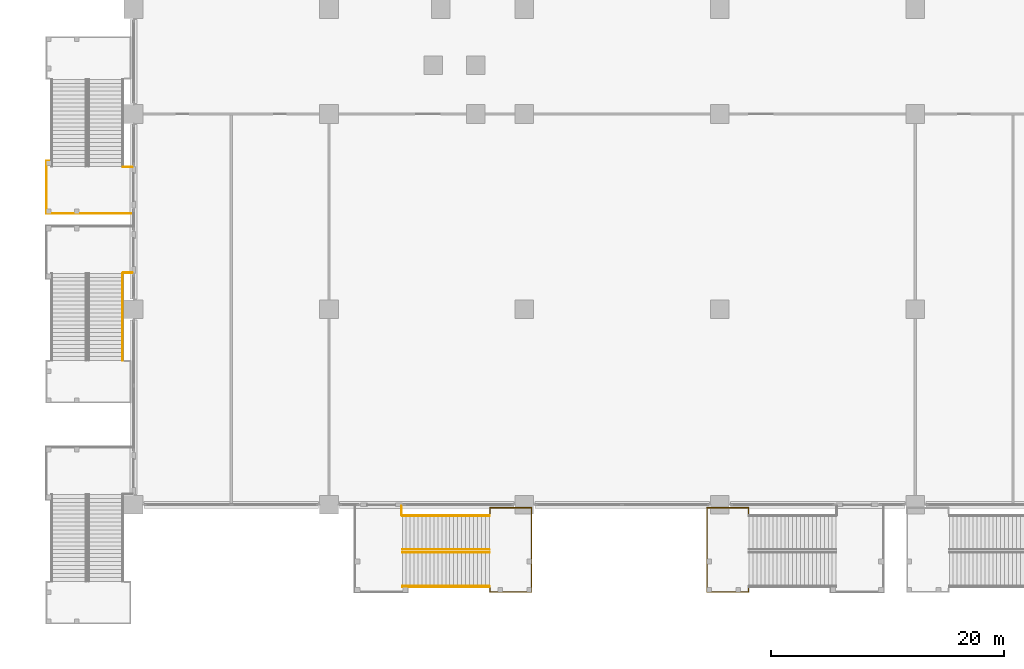
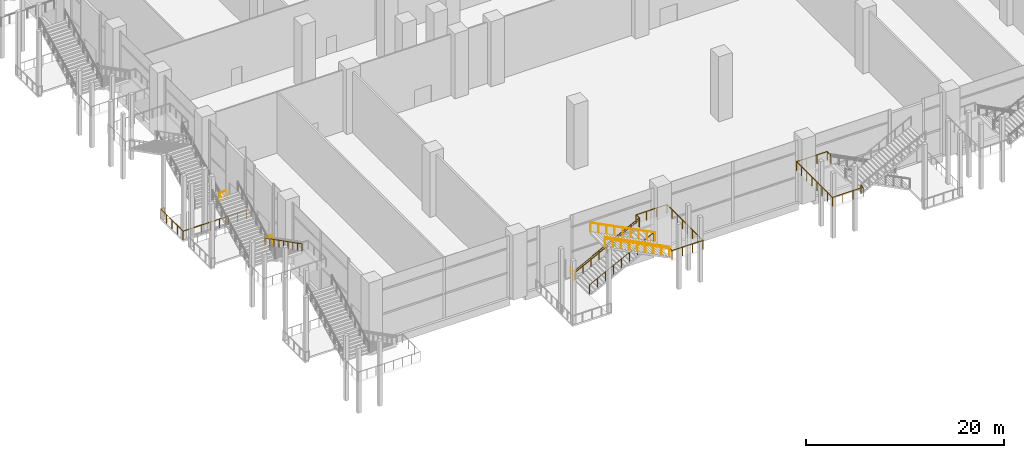
# One storey, part 39 of 52: 13 railings.
"""IFC4 building model written with IfcOpenShell, lengths in metres."""

import ifcopenshell
import ifcopenshell.guid

model = None  # the IFC model being written
_history = None  # IfcOwnerHistory: only IFC2X3 demands one
_inside = {}  # id of a spatial element -> (the spatial element, [elements in it])
_under = {}  # id of a project, library or spatial element -> (it, [spatial elements below it])
_declared = {}  # id of a project -> (the project, [libraries it declares])
_typed = {}  # id of a type object -> (the type object, [elements of that type])
_made_of = {}  # id of a material, layer set ... -> (it, [elements and type objects made of it])


def new_model(schema):
    """Start an empty IFC model of exactly this schema.

    Asked for "IFC4X3", IfcOpenShell would pick the latest addendum, in which some entities
    have other attributes; the version numbers below select the first issue.
    IFC2X3 requires an IfcOwnerHistory on every rooted entity: one is made here for all.
    """
    global model, _history
    if schema == "IFC4X3":
        model = ifcopenshell.file(schema_version=(4, 3, 0, 0))
    else:
        model = ifcopenshell.file(schema=schema)
    _inside.clear()
    _under.clear()
    _declared.clear()
    _typed.clear()
    _made_of.clear()
    _history = None
    if model.schema == "IFC2X3":
        org = make("IfcOrganization", Name="unknown")
        user = make(
            "IfcPersonAndOrganization",
            ThePerson=make("IfcPerson", FamilyName="unknown"),
            TheOrganization=org,
        )
        app = make(
            "IfcApplication",
            ApplicationDeveloper=org,
            Version="unknown",
            ApplicationFullName="unknown",
            ApplicationIdentifier="unknown",
        )
        _history = make(
            "IfcOwnerHistory",
            OwningUser=user,
            OwningApplication=app,
            ChangeAction="ADDED",
            CreationDate=0,
        )
    return model


def make(cls, **values):
    """One entity of the class cls with the attributes given. An attribute that is None is left unset."""
    return model.create_entity(
        cls, **{name: value for name, value in values.items() if value is not None}
    )


def rooted(cls, **values):
    """An entity with a GlobalId (a new one), such as an element, a storey or a relation."""
    return make(cls, GlobalId=ifcopenshell.guid.new(), OwnerHistory=_history, **values)


def si_unit(unit_type, name, prefix=None):
    """IfcSIUnit, for example si_unit("LENGTHUNIT", "METRE", prefix="MILLI")."""
    return make("IfcSIUnit", UnitType=unit_type, Prefix=prefix, Name=name)


def assignment(units):
    """IfcUnitAssignment: the units of a project."""
    return None if units is None else make("IfcUnitAssignment", Units=units)


def point(xyz):
    """IfcCartesianPoint."""
    return None if xyz is None else make("IfcCartesianPoint", Coordinates=xyz)


def direction(xyz):
    """IfcDirection."""
    return None if xyz is None else make("IfcDirection", DirectionRatios=xyz)


def frame(location, z_axis=None, x_axis=None):
    """IfcAxis2Placement3D, a coordinate frame: its origin and axes. An axis left out is left unset."""
    return make(
        "IfcAxis2Placement3D",
        Location=point(location),
        Axis=direction(z_axis),
        RefDirection=direction(x_axis),
    )


def frame_2d(location, x_axis=None):
    """IfcAxis2Placement2D, a coordinate frame in the plane: its origin and x axis."""
    return make(
        "IfcAxis2Placement2D", Location=point(location), RefDirection=direction(x_axis)
    )


def origin():
    """The frame at (0, 0, 0) with its axes left unset."""
    return frame((0.0, 0.0, 0.0))


def origin_2d():
    """The frame at (0, 0) in the plane with its x axis left unset."""
    return frame_2d((0.0, 0.0))


def place(relative_to, where):
    """IfcLocalPlacement: puts the frame where relative to a parent placement (None: the world)."""
    return make(
        "IfcLocalPlacement", PlacementRelTo=relative_to, RelativePlacement=where
    )


def context(
    kind, dimensions, precision=None, world=None, true_north=None, identifier=None
):
    """IfcGeometricRepresentationContext, for example the 3D "Model" context."""
    return make(
        "IfcGeometricRepresentationContext",
        ContextIdentifier=identifier,
        ContextType=kind,
        CoordinateSpaceDimension=dimensions,
        Precision=precision,
        WorldCoordinateSystem=world,
        TrueNorth=true_north,
    )


def subcontext(parent, identifier, kind, view, scale=None):
    """IfcGeometricRepresentationSubContext, for example "Body" below "Model"."""
    return make(
        "IfcGeometricRepresentationSubContext",
        ContextIdentifier=identifier,
        ContextType=kind,
        ParentContext=parent,
        TargetScale=scale,
        TargetView=view,
    )


def project(units=None, contexts=None):
    """IfcProject with its units and contexts."""
    return rooted(
        "IfcProject",
        Name="project",
        RepresentationContexts=contexts,
        UnitsInContext=assignment(units),
    )


def spatial(cls, under=None, at=None, **own):
    """A site, building, storey or space (cls), placed at a placement, below another one or the project."""
    s = rooted(cls, ObjectPlacement=at, **own)
    if under is not None:
        _under.setdefault(under.id(), (under, []))[1].append(s)
    return s


def profile(cls, at=None, kind="AREA", **sizes):
    """A parametric profile (cls). Its sizes go by their IFC names, for example OverallWidth=200.0."""
    return make(cls, ProfileType=kind, Position=at, **sizes)


def circle(**sizes):
    """IfcCircleProfileDef."""
    return profile("IfcCircleProfileDef", **sizes)


def extrude(swept, where, along, depth):
    """IfcExtrudedAreaSolid: the profile swept, set in the frame where, extruded along a direction by depth."""
    return make(
        "IfcExtrudedAreaSolid",
        SweptArea=swept,
        Position=where,
        ExtrudedDirection=direction(along),
        Depth=depth,
    )


def shape(context_of_items, identifier, shape_type, items):
    """IfcShapeRepresentation: the items that make up one representation, for example the "Body"."""
    return make(
        "IfcShapeRepresentation",
        ContextOfItems=context_of_items,
        RepresentationIdentifier=identifier,
        RepresentationType=shape_type,
        Items=items,
    )


def material(Name=None, Category=None):
    """IfcMaterial."""
    return make("IfcMaterial", Name=Name, Category=Category)


def made_of(thing, what):
    """Note that an element or type object is made of a material, layer set ...; save() writes the relation."""
    if what is not None:
        _made_of.setdefault(what.id(), (what, []))[1].append(thing)
    return thing


def type_object(cls, material=None, **own):
    """A type object (cls), such as IfcWallType, which elements share."""
    return made_of(rooted(cls, **own), material)


def element(
    cls,
    number,
    at=None,
    inside=None,
    cuts=None,
    type_object=None,
    material=None,
    context=None,
    identifier="Body",
    shape_type=None,
    held_by="IfcProductDefinitionShape",
    body=None,
    shapes=None,
    **own,
):
    """One element of the class cls, such as IfcWall. Its Tag is "e" and its number.

    at: its placement. inside: the storey or other place that contains it. cuts: it is an
    opening in that element (IfcRelVoidsElement). A single representation is given by context,
    identifier, shape_type and body (its items); several are given by shapes. held_by: the class
    of the entity that holds the representations. save() writes the other relations.
    """
    e = rooted(cls, Tag="e%d" % number, ObjectPlacement=at, **own)
    if body is not None:
        shapes = [shape(context, identifier, shape_type, body)]
    if shapes is not None:
        e.Representation = make(held_by, Representations=shapes)
    if inside is not None:
        _inside.setdefault(inside.id(), (inside, []))[1].append(e)
    if cuts is not None:
        rooted(
            "IfcRelVoidsElement", RelatingBuildingElement=cuts, RelatedOpeningElement=e
        )
    if type_object is not None:
        _typed.setdefault(type_object.id(), (type_object, []))[1].append(e)
    return made_of(e, material)


def aggregate(whole, parts):
    """IfcRelAggregates: a whole, such as a stair, and the parts it consists of."""
    return rooted("IfcRelAggregates", RelatingObject=whole, RelatedObjects=parts)


def save(model, path):
    """Write the relations noted so far, then the file.

    IfcRelAggregates (storeys below a building ...), IfcRelContainedInSpatialStructure (elements
    in a storey), IfcRelDefinesByType, IfcRelAssociatesMaterial and IfcRelDeclares: one each for
    every whole, place, type object, material and project.
    """
    for whole, parts in _under.values():
        aggregate(whole, parts)
    for where, things in _inside.values():
        rooted(
            "IfcRelContainedInSpatialStructure",
            RelatedElements=things,
            RelatingStructure=where,
        )
    for kind, things in _typed.values():
        rooted("IfcRelDefinesByType", RelatedObjects=things, RelatingType=kind)
    for what, things in _made_of.values():
        rooted("IfcRelAssociatesMaterial", RelatedObjects=things, RelatingMaterial=what)
    for by, libraries in _declared.values():
        rooted("IfcRelDeclares", RelatingContext=by, RelatedDefinitions=libraries)
    model.write(path)


model = new_model("IFC4")

# Units and contexts
model_context = context("Model", 3, precision=1e-05, world=origin(), true_north=direction((0.0, 1.0)))
body_context = subcontext(model_context, "Body", "Model", "MODEL_VIEW")
ifc_project = project(units=[si_unit("LENGTHUNIT", "METRE"), si_unit("AREAUNIT", "SQUARE_METRE"), si_unit("VOLUMEUNIT", "CUBIC_METRE"), si_unit("PLANEANGLEUNIT", "RADIAN"), si_unit("MASSUNIT", "GRAM", prefix="KILO")], contexts=[model_context])

# Site, building, storey
site_placement = place(None, origin())
site = spatial("IfcSite", under=ifc_project, at=site_placement, CompositionType="ELEMENT")
building_placement = place(site_placement, origin())
building = spatial("IfcBuilding", under=site, at=building_placement, Name="Candeia Pilgrim Tower and Theatre", CompositionType="ELEMENT")
storey_placement = place(building_placement, frame((0.0, 0.0, 9.0)))
storey = spatial("IfcBuildingStorey", under=building, at=storey_placement, Name="L01", CompositionType="ELEMENT", Elevation=9.0)

# Railings
ifc_material_1 = material(Name="Stainless steel balustrade", Category="steel")
railing_type_1 = type_object("IfcRailingType", Name="RL-GUARD-1100", PredefinedType="GUARDRAIL", material=ifc_material_1)
railing_1_placement = place(storey_placement, frame((81.89990234375, 60.550048828125, 0.173828125)))
element("IfcRailing", 1, at=railing_1_placement, inside=storey, type_object=railing_type_1, Name="L01 ES8 stair guard 1", PredefinedType="GUARDRAIL", context=body_context, shape_type="SweptSolid", body=[
    extrude(circle(Radius=0.02392578125, at=origin_2d()), frame((0.0, 0.0, 1.076171875), z_axis=(0.890286522184, 0.0, 0.455400821714), x_axis=(0.0, 1.0, 0.0)), (0.0, 0.0, 1.0), 8.40185546875),
    extrude(circle(Radius=0.02099609375, at=origin_2d()), origin(), (0.0, 0.0, 1.0), 1.052001953125),
    extrude(circle(Radius=0.02099609375, at=origin_2d()), frame((0.93505859375, 0.0, 0.478271484375)), (0.0, 0.0, 1.0), 1.052001953125),
    extrude(circle(Radius=0.02099609375, at=origin_2d()), frame((1.8701171875, 0.0, 0.95654296875)), (0.0, 0.0, 1.0), 1.052001953125),
    extrude(circle(Radius=0.02099609375, at=origin_2d()), frame((2.804931640625, 0.0, 1.434814453125)), (0.0, 0.0, 1.0), 1.052001953125),
    extrude(circle(Radius=0.02099609375, at=origin_2d()), frame((3.739990234375, 0.0, 1.9130859375)), (0.0, 0.0, 1.0), 1.052001953125),
    extrude(circle(Radius=0.02099609375, at=origin_2d()), frame((4.675048828125, 0.0, 2.391357421875)), (0.0, 0.0, 1.0), 1.052001953125),
    extrude(circle(Radius=0.02099609375, at=origin_2d()), frame((5.60986328125, 0.0, 2.86962890625)), (0.0, 0.0, 1.0), 1.052001953125),
    extrude(circle(Radius=0.02099609375, at=origin_2d()), frame((6.544921875, 0.0, 3.347900390625)), (0.0, 0.0, 1.0), 1.052001953125),
    extrude(circle(Radius=0.02099609375, at=origin_2d()), frame((7.47998046875, 0.0, 3.826171875)), (0.0, 0.0, 1.0), 1.052001953125),
])
railing_2_placement = place(storey_placement, frame((89.3798828125, 60.300048828125, 4.173828125)))
element("IfcRailing", 2, at=railing_2_placement, inside=storey, type_object=railing_type_1, Name="L01 ES8 stair guard 2", PredefinedType="GUARDRAIL", context=body_context, shape_type="SweptSolid", body=[
    extrude(circle(Radius=0.02392578125, at=origin_2d()), frame((0.0, 0.0, 1.076171875), z_axis=(-0.890286522184, 0.0, 0.455400821714), x_axis=(0.0, -1.0, 0.0)), (0.0, 0.0, 1.0), 8.40185546875),
    extrude(circle(Radius=0.02099609375, at=origin_2d()), origin(), (0.0, 0.0, 1.0), 1.052001953125),
    extrude(circle(Radius=0.02099609375, at=origin_2d()), frame((-0.93505859375, 0.0, 0.478271484375)), (0.0, 0.0, 1.0), 1.052001953125),
    extrude(circle(Radius=0.02099609375, at=origin_2d()), frame((-1.8701171875, 0.0, 0.95654296875)), (0.0, 0.0, 1.0), 1.052001953125),
    extrude(circle(Radius=0.02099609375, at=origin_2d()), frame((-2.804931640625, 0.0, 1.434814453125)), (0.0, 0.0, 1.0), 1.052001953125),
    extrude(circle(Radius=0.02099609375, at=origin_2d()), frame((-3.739990234375, 0.0, 1.9130859375)), (0.0, 0.0, 1.0), 1.052001953125),
    extrude(circle(Radius=0.02099609375, at=origin_2d()), frame((-4.675048828125, 0.0, 2.391357421875)), (0.0, 0.0, 1.0), 1.052001953125),
    extrude(circle(Radius=0.02099609375, at=origin_2d()), frame((-5.60986328125, 0.0, 2.86962890625)), (0.0, 0.0, 1.0), 1.052001953125),
    extrude(circle(Radius=0.02099609375, at=origin_2d()), frame((-6.544921875, 0.0, 3.347900390625)), (0.0, 0.0, 1.0), 1.052001953125),
    extrude(circle(Radius=0.02099609375, at=origin_2d()), frame((-7.47998046875, 0.0, 3.826171875)), (0.0, 0.0, 1.0), 1.052001953125),
])
railing_3_placement = place(storey_placement, frame((81.89990234375, 63.5, 0.173828125)))
element("IfcRailing", 3, at=railing_3_placement, inside=storey, type_object=railing_type_1, Name="L01 ES8 stair guard 3", PredefinedType="GUARDRAIL", context=body_context, shape_type="SweptSolid", body=[
    extrude(circle(Radius=0.02392578125, at=origin_2d()), frame((0.0, 0.0, 1.076171875), z_axis=(0.890286522184, 0.0, 0.455400821714), x_axis=(0.0, 1.0, 0.0)), (0.0, 0.0, 1.0), 8.40185546875),
    extrude(circle(Radius=0.02099609375, at=origin_2d()), origin(), (0.0, 0.0, 1.0), 1.052001953125),
    extrude(circle(Radius=0.02099609375, at=origin_2d()), frame((0.93505859375, 0.0, 0.478271484375)), (0.0, 0.0, 1.0), 1.052001953125),
    extrude(circle(Radius=0.02099609375, at=origin_2d()), frame((1.8701171875, 0.0, 0.95654296875)), (0.0, 0.0, 1.0), 1.052001953125),
    extrude(circle(Radius=0.02099609375, at=origin_2d()), frame((2.804931640625, 0.0, 1.434814453125)), (0.0, 0.0, 1.0), 1.052001953125),
    extrude(circle(Radius=0.02099609375, at=origin_2d()), frame((3.739990234375, 0.0, 1.9130859375)), (0.0, 0.0, 1.0), 1.052001953125),
    extrude(circle(Radius=0.02099609375, at=origin_2d()), frame((4.675048828125, 0.0, 2.391357421875)), (0.0, 0.0, 1.0), 1.052001953125),
    extrude(circle(Radius=0.02099609375, at=origin_2d()), frame((5.60986328125, 0.0, 2.86962890625)), (0.0, 0.0, 1.0), 1.052001953125),
    extrude(circle(Radius=0.02099609375, at=origin_2d()), frame((6.544921875, 0.0, 3.347900390625)), (0.0, 0.0, 1.0), 1.052001953125),
    extrude(circle(Radius=0.02099609375, at=origin_2d()), frame((7.47998046875, 0.0, 3.826171875)), (0.0, 0.0, 1.0), 1.052001953125),
])
railing_4_placement = place(storey_placement, frame((89.3798828125, 57.35009765625, 4.173828125)))
element("IfcRailing", 4, at=railing_4_placement, inside=storey, type_object=railing_type_1, Name="L01 ES8 stair guard 4", PredefinedType="GUARDRAIL", context=body_context, shape_type="SweptSolid", body=[
    extrude(circle(Radius=0.02392578125, at=origin_2d()), frame((0.0, 0.0, 1.076171875), z_axis=(-0.890286522184, 0.0, 0.455400821714), x_axis=(0.0, -1.0, 0.0)), (0.0, 0.0, 1.0), 8.40185546875),
    extrude(circle(Radius=0.02099609375, at=origin_2d()), origin(), (0.0, 0.0, 1.0), 1.052001953125),
    extrude(circle(Radius=0.02099609375, at=origin_2d()), frame((-0.93505859375, 0.0, 0.478271484375)), (0.0, 0.0, 1.0), 1.052001953125),
    extrude(circle(Radius=0.02099609375, at=origin_2d()), frame((-1.8701171875, 0.0, 0.95654296875)), (0.0, 0.0, 1.0), 1.052001953125),
    extrude(circle(Radius=0.02099609375, at=origin_2d()), frame((-2.804931640625, 0.0, 1.434814453125)), (0.0, 0.0, 1.0), 1.052001953125),
    extrude(circle(Radius=0.02099609375, at=origin_2d()), frame((-3.739990234375, 0.0, 1.9130859375)), (0.0, 0.0, 1.0), 1.052001953125),
    extrude(circle(Radius=0.02099609375, at=origin_2d()), frame((-4.675048828125, 0.0, 2.391357421875)), (0.0, 0.0, 1.0), 1.052001953125),
    extrude(circle(Radius=0.02099609375, at=origin_2d()), frame((-5.60986328125, 0.0, 2.86962890625)), (0.0, 0.0, 1.0), 1.052001953125),
    extrude(circle(Radius=0.02099609375, at=origin_2d()), frame((-6.544921875, 0.0, 3.347900390625)), (0.0, 0.0, 1.0), 1.052001953125),
    extrude(circle(Radius=0.02099609375, at=origin_2d()), frame((-7.47998046875, 0.0, 3.826171875)), (0.0, 0.0, 1.0), 1.052001953125),
])
railing_5_placement = place(storey_placement, frame((89.429931640625, 63.5, 4.0)))
element("IfcRailing", 5, at=railing_5_placement, inside=storey, type_object=railing_type_1, Name="L01 ES8 stair guard 5", PredefinedType="GUARDRAIL", context=body_context, shape_type="SweptSolid", body=[
    extrude(circle(Radius=0.02392578125, at=origin_2d()), frame((0.0, 0.0, 1.076171875), z_axis=(0.0, 1.0, 0.0), x_axis=(-1.0, 0.0, 0.0)), (0.0, 0.0, 1.0), 0.64990234375),
    extrude(circle(Radius=0.02392578125, at=origin_2d()), frame((0.0, 0.64990234375, 1.076171875), z_axis=(1.0, 0.0, 0.0), x_axis=(0.0, 1.0, 0.0)), (0.0, 0.0, 1.0), 3.580078125),
    extrude(circle(Radius=0.02392578125, at=origin_2d()), frame((3.580078125, 0.64990234375, 1.076171875), z_axis=(0.0, -1.0, 0.0), x_axis=(1.0, 0.0, 0.0)), (0.0, 0.0, 1.0), 7.25),
    extrude(circle(Radius=0.02392578125, at=origin_2d()), frame((3.580078125, -6.60009765625, 1.076171875), z_axis=(-1.0, 0.0, 0.0), x_axis=(0.0, -1.0, 0.0)), (0.0, 0.0, 1.0), 3.580078125),
    extrude(circle(Radius=0.02392578125, at=origin_2d()), frame((0.0, -6.60009765625, 1.076171875), z_axis=(0.0, 1.0, 0.0), x_axis=(-1.0, 0.0, 0.0)), (0.0, 0.0, 1.0), 0.4501953125),
    extrude(circle(Radius=0.02099609375, at=origin_2d()), origin(), (0.0, 0.0, 1.0), 1.052001953125),
    extrude(circle(Radius=0.02099609375, at=origin_2d()), frame((0.0, 0.64990234375, 0.0)), (0.0, 0.0, 1.0), 1.052001953125),
    extrude(circle(Radius=0.02099609375, at=origin_2d()), frame((1.193359375, 0.64990234375, 0.0)), (0.0, 0.0, 1.0), 1.052001953125),
    extrude(circle(Radius=0.02099609375, at=origin_2d()), frame((2.38671875, 0.64990234375, 0.0)), (0.0, 0.0, 1.0), 1.052001953125),
    extrude(circle(Radius=0.02099609375, at=origin_2d()), frame((3.580078125, 0.64990234375, 0.0)), (0.0, 0.0, 1.0), 1.052001953125),
    extrude(circle(Radius=0.02099609375, at=origin_2d()), frame((3.580078125, -0.3857421875, 0.0)), (0.0, 0.0, 1.0), 1.052001953125),
    extrude(circle(Radius=0.02099609375, at=origin_2d()), frame((3.580078125, -1.421630859375, 0.0)), (0.0, 0.0, 1.0), 1.052001953125),
    extrude(circle(Radius=0.02099609375, at=origin_2d()), frame((3.580078125, -2.457275390625, 0.0)), (0.0, 0.0, 1.0), 1.052001953125),
    extrude(circle(Radius=0.02099609375, at=origin_2d()), frame((3.580078125, -3.492919921875, 0.0)), (0.0, 0.0, 1.0), 1.052001953125),
    extrude(circle(Radius=0.02099609375, at=origin_2d()), frame((3.580078125, -4.528564453125, 0.0)), (0.0, 0.0, 1.0), 1.052001953125),
    extrude(circle(Radius=0.02099609375, at=origin_2d()), frame((3.580078125, -5.564453125, 0.0)), (0.0, 0.0, 1.0), 1.052001953125),
    extrude(circle(Radius=0.02099609375, at=origin_2d()), frame((3.580078125, -6.60009765625, 0.0)), (0.0, 0.0, 1.0), 1.052001953125),
    extrude(circle(Radius=0.02099609375, at=origin_2d()), frame((2.38671875, -6.60009765625, 0.0)), (0.0, 0.0, 1.0), 1.052001953125),
    extrude(circle(Radius=0.02099609375, at=origin_2d()), frame((1.193359375, -6.60009765625, 0.0)), (0.0, 0.0, 1.0), 1.052001953125),
    extrude(circle(Radius=0.02099609375, at=origin_2d()), frame((0.0, -6.60009765625, 0.0)), (0.0, 0.0, 1.0), 1.052001953125),
    extrude(circle(Radius=0.02099609375, at=origin_2d()), frame((0.0, -6.14990234375, 0.0)), (0.0, 0.0, 1.0), 1.052001953125),
])
railing_6_placement = place(storey_placement, frame((81.85009765625, 64.300048828125, 0.0)))
element("IfcRailing", 6, at=railing_6_placement, inside=storey, type_object=railing_type_1, Name="L01 External escape stair ES8 bridge guard", PredefinedType="GUARDRAIL", context=body_context, shape_type="SweptSolid", body=[
    extrude(circle(Radius=0.02392578125, at=origin_2d()), frame((0.0, 0.0, 1.076171875), z_axis=(0.0, -1.0, 0.0), x_axis=(1.0, 0.0, 0.0)), (0.0, 0.0, 1.0), 0.800048828125),
    extrude(circle(Radius=0.02099609375, at=origin_2d()), origin(), (0.0, 0.0, 1.0), 1.052001953125),
    extrude(circle(Radius=0.02099609375, at=origin_2d()), frame((0.0, -0.800048828125, 0.0)), (0.0, 0.0, 1.0), 1.052001953125),
])
railing_7_placement = place(storey_placement, frame((111.669921875, 63.5, 4.0)))
element("IfcRailing", 7, at=railing_7_placement, inside=storey, type_object=railing_type_1, Name="L01 ES9 stair guard 5", PredefinedType="GUARDRAIL", context=body_context, shape_type="SweptSolid", body=[
    extrude(circle(Radius=0.02392578125, at=origin_2d()), frame((0.0, 0.0, 1.076171875), z_axis=(0.0, 1.0, 0.0), x_axis=(-1.0, 0.0, 0.0)), (0.0, 0.0, 1.0), 0.64990234375),
    extrude(circle(Radius=0.02392578125, at=origin_2d()), frame((0.0, 0.64990234375, 1.076171875), z_axis=(-1.0, 0.0, 0.0), x_axis=(0.0, -1.0, 0.0)), (0.0, 0.0, 1.0), 3.579833984375),
    extrude(circle(Radius=0.02392578125, at=origin_2d()), frame((-3.579833984375, 0.64990234375, 1.076171875), z_axis=(0.0, -1.0, 0.0), x_axis=(1.0, 0.0, 0.0)), (0.0, 0.0, 1.0), 7.25),
    extrude(circle(Radius=0.02392578125, at=origin_2d()), frame((-3.579833984375, -6.60009765625, 1.076171875), z_axis=(1.0, 0.0, 0.0), x_axis=(0.0, 1.0, 0.0)), (0.0, 0.0, 1.0), 3.579833984375),
    extrude(circle(Radius=0.02392578125, at=origin_2d()), frame((0.0, -6.60009765625, 1.076171875), z_axis=(0.0, 1.0, 0.0), x_axis=(-1.0, 0.0, 0.0)), (0.0, 0.0, 1.0), 0.4501953125),
    extrude(circle(Radius=0.02099609375, at=origin_2d()), origin(), (0.0, 0.0, 1.0), 1.052001953125),
    extrude(circle(Radius=0.02099609375, at=origin_2d()), frame((0.0, 0.64990234375, 0.0)), (0.0, 0.0, 1.0), 1.052001953125),
    extrude(circle(Radius=0.02099609375, at=origin_2d()), frame((-1.193359375, 0.64990234375, 0.0)), (0.0, 0.0, 1.0), 1.052001953125),
    extrude(circle(Radius=0.02099609375, at=origin_2d()), frame((-2.386474609375, 0.64990234375, 0.0)), (0.0, 0.0, 1.0), 1.052001953125),
    extrude(circle(Radius=0.02099609375, at=origin_2d()), frame((-3.579833984375, 0.64990234375, 0.0)), (0.0, 0.0, 1.0), 1.052001953125),
    extrude(circle(Radius=0.02099609375, at=origin_2d()), frame((-3.579833984375, -0.3857421875, 0.0)), (0.0, 0.0, 1.0), 1.052001953125),
    extrude(circle(Radius=0.02099609375, at=origin_2d()), frame((-3.579833984375, -1.421630859375, 0.0)), (0.0, 0.0, 1.0), 1.052001953125),
    extrude(circle(Radius=0.02099609375, at=origin_2d()), frame((-3.579833984375, -2.457275390625, 0.0)), (0.0, 0.0, 1.0), 1.052001953125),
    extrude(circle(Radius=0.02099609375, at=origin_2d()), frame((-3.579833984375, -3.492919921875, 0.0)), (0.0, 0.0, 1.0), 1.052001953125),
    extrude(circle(Radius=0.02099609375, at=origin_2d()), frame((-3.579833984375, -4.528564453125, 0.0)), (0.0, 0.0, 1.0), 1.052001953125),
    extrude(circle(Radius=0.02099609375, at=origin_2d()), frame((-3.579833984375, -5.564453125, 0.0)), (0.0, 0.0, 1.0), 1.052001953125),
    extrude(circle(Radius=0.02099609375, at=origin_2d()), frame((-3.579833984375, -6.60009765625, 0.0)), (0.0, 0.0, 1.0), 1.052001953125),
    extrude(circle(Radius=0.02099609375, at=origin_2d()), frame((-2.386474609375, -6.60009765625, 0.0)), (0.0, 0.0, 1.0), 1.052001953125),
    extrude(circle(Radius=0.02099609375, at=origin_2d()), frame((-1.193359375, -6.60009765625, 0.0)), (0.0, 0.0, 1.0), 1.052001953125),
    extrude(circle(Radius=0.02099609375, at=origin_2d()), frame((0.0, -6.60009765625, 0.0)), (0.0, 0.0, 1.0), 1.052001953125),
    extrude(circle(Radius=0.02099609375, at=origin_2d()), frame((0.0, -6.14990234375, 0.0)), (0.0, 0.0, 1.0), 1.052001953125),
])
railing_8_placement = place(storey_placement, frame((58.699951171875, 84.35009765625, 0.0)))
element("IfcRailing", 8, at=railing_8_placement, inside=storey, type_object=railing_type_1, Name="L01 External escape stair ES11 bridge guard", PredefinedType="GUARDRAIL", context=body_context, shape_type="SweptSolid", body=[
    extrude(circle(Radius=0.02392578125, at=origin_2d()), frame((0.0, 0.0, 1.076171875), z_axis=(-1.0, 0.0, 0.0), x_axis=(0.0, -1.0, 0.0)), (0.0, 0.0, 1.0), 0.800048828125),
    extrude(circle(Radius=0.02099609375, at=origin_2d()), origin(), (0.0, 0.0, 1.0), 1.052001953125),
    extrude(circle(Radius=0.02099609375, at=origin_2d()), frame((-0.800048828125, 0.0, 0.0)), (0.0, 0.0, 1.0), 1.052001953125),
])
railing_9_placement = place(storey_placement, frame((58.699951171875, 89.449951171875, 0.0)))
element("IfcRailing", 9, at=railing_9_placement, inside=storey, type_object=railing_type_1, Name="L01 External escape stair ES12 landing guard", PredefinedType="GUARDRAIL", context=body_context, shape_type="SweptSolid", body=[
    extrude(circle(Radius=0.02392578125, at=origin_2d()), frame((0.0, 0.0, 1.076171875), z_axis=(-1.0, 0.0, 0.0), x_axis=(0.0, -1.0, 0.0)), (0.0, 0.0, 1.0), 7.39990234375),
    extrude(circle(Radius=0.02392578125, at=origin_2d()), frame((-7.39990234375, 0.0, 1.076171875), z_axis=(0.0, 1.0, 0.0), x_axis=(-1.0, 0.0, 0.0)), (0.0, 0.0, 1.0), 4.5),
    extrude(circle(Radius=0.02392578125, at=origin_2d()), frame((-7.39990234375, 4.5, 1.076171875), z_axis=(1.0, 0.0, 0.0), x_axis=(0.0, 1.0, 0.0)), (0.0, 0.0, 1.0), 0.449951171875),
    extrude(circle(Radius=0.02099609375, at=origin_2d()), origin(), (0.0, 0.0, 1.0), 1.052001953125),
    extrude(circle(Radius=0.02099609375, at=origin_2d()), frame((-1.05712890625, 0.0, 0.0)), (0.0, 0.0, 1.0), 1.052001953125),
    extrude(circle(Radius=0.02099609375, at=origin_2d()), frame((-2.1142578125, 0.0, 0.0)), (0.0, 0.0, 1.0), 1.052001953125),
    extrude(circle(Radius=0.02099609375, at=origin_2d()), frame((-3.17138671875, 0.0, 0.0)), (0.0, 0.0, 1.0), 1.052001953125),
    extrude(circle(Radius=0.02099609375, at=origin_2d()), frame((-4.228515625, 0.0, 0.0)), (0.0, 0.0, 1.0), 1.052001953125),
    extrude(circle(Radius=0.02099609375, at=origin_2d()), frame((-5.28564453125, 0.0, 0.0)), (0.0, 0.0, 1.0), 1.052001953125),
    extrude(circle(Radius=0.02099609375, at=origin_2d()), frame((-6.3427734375, 0.0, 0.0)), (0.0, 0.0, 1.0), 1.052001953125),
    extrude(circle(Radius=0.02099609375, at=origin_2d()), frame((-7.39990234375, 0.0, 0.0)), (0.0, 0.0, 1.0), 1.052001953125),
    extrude(circle(Radius=0.02099609375, at=origin_2d()), frame((-7.39990234375, 1.125, 0.0)), (0.0, 0.0, 1.0), 1.052001953125),
    extrude(circle(Radius=0.02099609375, at=origin_2d()), frame((-7.39990234375, 2.25, 0.0)), (0.0, 0.0, 1.0), 1.052001953125),
    extrude(circle(Radius=0.02099609375, at=origin_2d()), frame((-7.39990234375, 3.375, 0.0)), (0.0, 0.0, 1.0), 1.052001953125),
    extrude(circle(Radius=0.02099609375, at=origin_2d()), frame((-7.39990234375, 4.5, 0.0)), (0.0, 0.0, 1.0), 1.052001953125),
    extrude(circle(Radius=0.02099609375, at=origin_2d()), frame((-6.949951171875, 4.5, 0.0)), (0.0, 0.0, 1.0), 1.052001953125),
])
railing_10_placement = place(storey_placement, frame((58.699951171875, 93.449951171875, 0.0)))
element("IfcRailing", 10, at=railing_10_placement, inside=storey, type_object=railing_type_1, Name="L01 External escape stair ES12 bridge guard", PredefinedType="GUARDRAIL", context=body_context, shape_type="SweptSolid", body=[
    extrude(circle(Radius=0.02392578125, at=origin_2d()), frame((0.0, 0.0, 1.076171875), z_axis=(-1.0, 0.0, 0.0), x_axis=(0.0, -1.0, 0.0)), (0.0, 0.0, 1.0), 0.800048828125),
    extrude(circle(Radius=0.02099609375, at=origin_2d()), origin(), (0.0, 0.0, 1.0), 1.052001953125),
    extrude(circle(Radius=0.02099609375, at=origin_2d()), frame((-0.800048828125, 0.0, 0.0)), (0.0, 0.0, 1.0), 1.052001953125),
])
ifc_material_2 = material(Name="Stainless steel handrail", Category="steel")
railing_type_2 = type_object("IfcRailingType", Name="RL-HANDRAIL-900", PredefinedType="HANDRAIL", material=ifc_material_2)
railing_11_placement = place(storey_placement, frame((81.89990234375, 63.449951171875, 0.173828125)))
element("IfcRailing", 11, at=railing_11_placement, inside=storey, type_object=railing_type_2, Name="L01 ES8 stair handrail 1", PredefinedType="HANDRAIL", context=body_context, shape_type="SweptSolid", body=[
    extrude(circle(Radius=0.02392578125, at=origin_2d()), frame((0.0, 0.0, 0.8759765625), z_axis=(0.890286522184, 0.0, 0.455400821714), x_axis=(0.0, 1.0, 0.0)), (0.0, 0.0, 1.0), 8.40185546875),
    extrude(circle(Radius=0.02099609375, at=origin_2d()), origin(), (0.0, 0.0, 1.0), 0.851806640625),
    extrude(circle(Radius=0.02099609375, at=origin_2d()), frame((0.93505859375, 0.0, 0.478271484375)), (0.0, 0.0, 1.0), 0.851806640625),
    extrude(circle(Radius=0.02099609375, at=origin_2d()), frame((1.8701171875, 0.0, 0.95654296875)), (0.0, 0.0, 1.0), 0.851806640625),
    extrude(circle(Radius=0.02099609375, at=origin_2d()), frame((2.804931640625, 0.0, 1.434814453125)), (0.0, 0.0, 1.0), 0.851806640625),
    extrude(circle(Radius=0.02099609375, at=origin_2d()), frame((3.739990234375, 0.0, 1.9130859375)), (0.0, 0.0, 1.0), 0.851806640625),
    extrude(circle(Radius=0.02099609375, at=origin_2d()), frame((4.675048828125, 0.0, 2.391357421875)), (0.0, 0.0, 1.0), 0.851806640625),
    extrude(circle(Radius=0.02099609375, at=origin_2d()), frame((5.60986328125, 0.0, 2.86962890625)), (0.0, 0.0, 1.0), 0.851806640625),
    extrude(circle(Radius=0.02099609375, at=origin_2d()), frame((6.544921875, 0.0, 3.347900390625)), (0.0, 0.0, 1.0), 0.851806640625),
    extrude(circle(Radius=0.02099609375, at=origin_2d()), frame((7.47998046875, 0.0, 3.826171875)), (0.0, 0.0, 1.0), 0.851806640625),
])
railing_12_placement = place(storey_placement, frame((89.3798828125, 57.39990234375, 4.173828125)))
element("IfcRailing", 12, at=railing_12_placement, inside=storey, type_object=railing_type_2, Name="L01 ES8 stair handrail 2", PredefinedType="HANDRAIL", context=body_context, shape_type="SweptSolid", body=[
    extrude(circle(Radius=0.02392578125, at=origin_2d()), frame((0.0, 0.0, 0.8759765625), z_axis=(-0.890286522184, 0.0, 0.455400821714), x_axis=(0.0, -1.0, 0.0)), (0.0, 0.0, 1.0), 8.40185546875),
    extrude(circle(Radius=0.02099609375, at=origin_2d()), origin(), (0.0, 0.0, 1.0), 0.851806640625),
    extrude(circle(Radius=0.02099609375, at=origin_2d()), frame((-0.93505859375, 0.0, 0.478271484375)), (0.0, 0.0, 1.0), 0.851806640625),
    extrude(circle(Radius=0.02099609375, at=origin_2d()), frame((-1.8701171875, 0.0, 0.95654296875)), (0.0, 0.0, 1.0), 0.851806640625),
    extrude(circle(Radius=0.02099609375, at=origin_2d()), frame((-2.804931640625, 0.0, 1.434814453125)), (0.0, 0.0, 1.0), 0.851806640625),
    extrude(circle(Radius=0.02099609375, at=origin_2d()), frame((-3.739990234375, 0.0, 1.9130859375)), (0.0, 0.0, 1.0), 0.851806640625),
    extrude(circle(Radius=0.02099609375, at=origin_2d()), frame((-4.675048828125, 0.0, 2.391357421875)), (0.0, 0.0, 1.0), 0.851806640625),
    extrude(circle(Radius=0.02099609375, at=origin_2d()), frame((-5.60986328125, 0.0, 2.86962890625)), (0.0, 0.0, 1.0), 0.851806640625),
    extrude(circle(Radius=0.02099609375, at=origin_2d()), frame((-6.544921875, 0.0, 3.347900390625)), (0.0, 0.0, 1.0), 0.851806640625),
    extrude(circle(Radius=0.02099609375, at=origin_2d()), frame((-7.47998046875, 0.0, 3.826171875)), (0.0, 0.0, 1.0), 0.851806640625),
])
railing_13_placement = place(storey_placement, frame((57.85009765625, 84.300048828125, 0.173828125)))
element("IfcRailing", 13, at=railing_13_placement, inside=storey, type_object=railing_type_2, Name="L01 ES11 stair handrail 1", PredefinedType="HANDRAIL", context=body_context, shape_type="SweptSolid", body=[
    extrude(circle(Radius=0.02392578125, at=origin_2d()), frame((0.0, 0.0, 0.8759765625), z_axis=(0.0, -0.890286522184, 0.455400821714), x_axis=(1.0, 0.0, 0.0)), (0.0, 0.0, 1.0), 8.40185546875),
    extrude(circle(Radius=0.02099609375, at=origin_2d()), origin(), (0.0, 0.0, 1.0), 0.851806640625),
    extrude(circle(Radius=0.02099609375, at=origin_2d()), frame((0.0, -0.93505859375, 0.478271484375)), (0.0, 0.0, 1.0), 0.851806640625),
    extrude(circle(Radius=0.02099609375, at=origin_2d()), frame((0.0, -1.8701171875, 0.95654296875)), (0.0, 0.0, 1.0), 0.851806640625),
    extrude(circle(Radius=0.02099609375, at=origin_2d()), frame((0.0, -2.804931640625, 1.434814453125)), (0.0, 0.0, 1.0), 0.851806640625),
    extrude(circle(Radius=0.02099609375, at=origin_2d()), frame((0.0, -3.739990234375, 1.9130859375)), (0.0, 0.0, 1.0), 0.851806640625),
    extrude(circle(Radius=0.02099609375, at=origin_2d()), frame((0.0, -4.675048828125, 2.391357421875)), (0.0, 0.0, 1.0), 0.851806640625),
    extrude(circle(Radius=0.02099609375, at=origin_2d()), frame((0.0, -5.60986328125, 2.86962890625)), (0.0, 0.0, 1.0), 0.851806640625),
    extrude(circle(Radius=0.02099609375, at=origin_2d()), frame((0.0, -6.544921875, 3.347900390625)), (0.0, 0.0, 1.0), 0.851806640625),
    extrude(circle(Radius=0.02099609375, at=origin_2d()), frame((0.0, -7.47998046875, 3.826171875)), (0.0, 0.0, 1.0), 0.851806640625),
])

save(model, "model.ifc")
